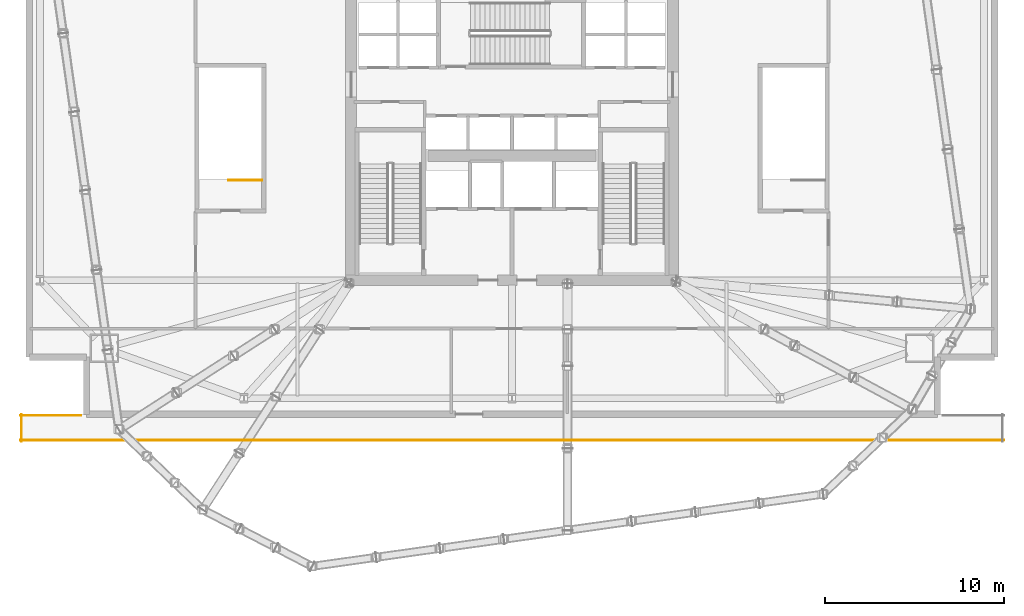
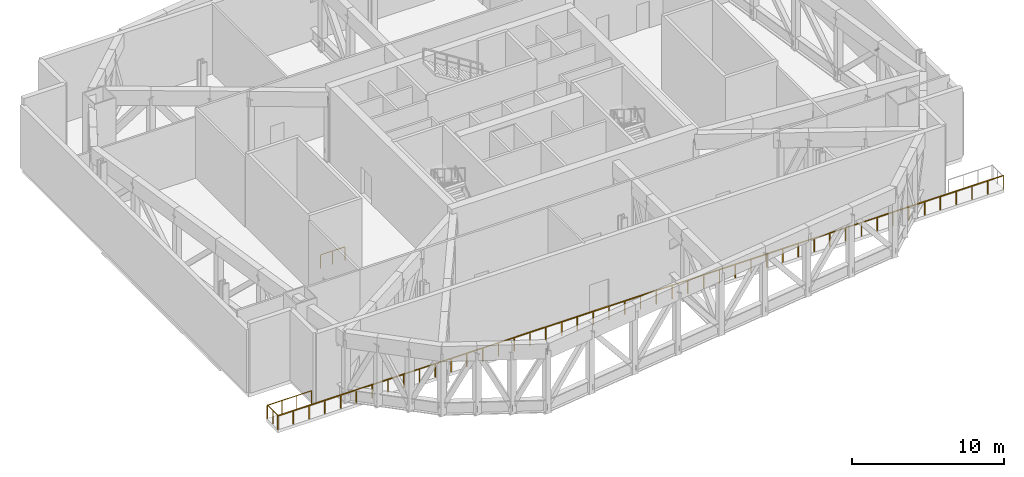
# One storey, part 13 of 15: 4 railings.
"""IFC4 building model written with IfcOpenShell, lengths in metres."""

from ifc_helpers import new_model, si_unit, direction, frame, origin, origin_2d, place, context, subcontext, project, spatial, rectangle, extrude, material, type_object, element, save


model = new_model("IFC4")

# Units and contexts
model_context = context("Model", 3, precision=1e-05, world=origin(), true_north=direction((0.0, 1.0)))
body_context = subcontext(model_context, "Body", "Model", "MODEL_VIEW")
ifc_project = project(units=[si_unit("LENGTHUNIT", "METRE"), si_unit("AREAUNIT", "SQUARE_METRE"), si_unit("VOLUMEUNIT", "CUBIC_METRE"), si_unit("PLANEANGLEUNIT", "RADIAN"), si_unit("MASSUNIT", "GRAM", prefix="KILO")], contexts=[model_context])

# Site, building, storey
site_placement = place(None, origin())
site = spatial("IfcSite", under=ifc_project, at=site_placement, CompositionType="ELEMENT")
building_placement = place(site_placement, origin())
building = spatial("IfcBuilding", under=site, at=building_placement, Name="Haldenkirk Collegiate Tower", CompositionType="ELEMENT")
storey_placement = place(building_placement, frame((0.0, 0.0, 22.199951171875)))
storey = spatial("IfcBuildingStorey", under=building, at=storey_placement, Name="L04", CompositionType="ELEMENT", Elevation=22.199951171875)

# Railings
ifc_material_1 = material(Name="Painted architectural tubular steel", Category="steel")
railing_type_1 = type_object("IfcRailingType", Name="RLG-STAIR-GUARD-1100", PredefinedType="BALUSTRADE", material=ifc_material_1)
railing_1_placement = place(storey_placement, frame((22.0, 23.60009765625, 0.0)))
element("IfcRailing", 1, at=railing_1_placement, inside=storey, type_object=railing_type_1, Name="L04 ST-4 top well guard 1", PredefinedType="BALUSTRADE", context=body_context, shape_type="SweptSolid", body=[
    extrude(rectangle(XDim=0.048095703125, YDim=0.048095703125, at=origin_2d()), frame((0.0, 0.0, 1.076171875), z_axis=(-1.0, 0.0, 0.0), x_axis=(0.0, -1.0, 0.0)), (0.0, 0.0, 1.0), 1.85009765625),
    extrude(rectangle(XDim=0.0419921875, YDim=0.0419921875, at=origin_2d()), origin(), (0.0, 0.0, 1.0), 1.052001953125),
    extrude(rectangle(XDim=0.0419921875, YDim=0.0419921875, at=origin_2d()), frame((-0.925048828125, 0.0, 0.0)), (0.0, 0.0, 1.0), 1.052001953125),
    extrude(rectangle(XDim=0.0419921875, YDim=0.0419921875, at=origin_2d()), frame((-1.85009765625, 0.0, 0.0)), (0.0, 0.0, 1.0), 1.052001953125),
])
ifc_material_2 = material(Name="Anodised architectural bronze aluminium", Category="aluminium")
railing_type_2 = type_object("IfcRailingType", Name="RLG-TERR-BALUSTRADE-1100", PredefinedType="BALUSTRADE", material=ifc_material_2)
railing_2_placement = place(storey_placement, frame((8.5, 9.06005859375, 0.0)))
element("IfcRailing", 2, at=railing_2_placement, inside=storey, type_object=railing_type_2, Name="L04 terrace guard balustrade 1-1", PredefinedType="BALUSTRADE", context=body_context, shape_type="SweptSolid", body=[
    extrude(rectangle(XDim=0.048095703125, YDim=0.048095703125, at=origin_2d()), frame((0.0, 0.0, 1.076171875), z_axis=(1.0, 0.0, 0.0), x_axis=(0.0, 1.0, 0.0)), (0.0, 0.0, 1.0), 55.0),
    extrude(rectangle(XDim=0.0419921875, YDim=0.0419921875, at=origin_2d()), origin(), (0.0, 0.0, 1.0), 1.052001953125),
    extrude(rectangle(XDim=0.0419921875, YDim=0.0419921875, at=origin_2d()), frame((1.195556640625, 0.0, 0.0)), (0.0, 0.0, 1.0), 1.052001953125),
    extrude(rectangle(XDim=0.0419921875, YDim=0.0419921875, at=origin_2d()), frame((2.391357421875, 0.0, 0.0)), (0.0, 0.0, 1.0), 1.052001953125),
    extrude(rectangle(XDim=0.0419921875, YDim=0.0419921875, at=origin_2d()), frame((3.5869140625, 0.0, 0.0)), (0.0, 0.0, 1.0), 1.052001953125),
    extrude(rectangle(XDim=0.0419921875, YDim=0.0419921875, at=origin_2d()), frame((4.78271484375, 0.0, 0.0)), (0.0, 0.0, 1.0), 1.052001953125),
    extrude(rectangle(XDim=0.0419921875, YDim=0.0419921875, at=origin_2d()), frame((5.978271484375, 0.0, 0.0)), (0.0, 0.0, 1.0), 1.052001953125),
    extrude(rectangle(XDim=0.0419921875, YDim=0.0419921875, at=origin_2d()), frame((7.173828125, 0.0, 0.0)), (0.0, 0.0, 1.0), 1.052001953125),
    extrude(rectangle(XDim=0.0419921875, YDim=0.0419921875, at=origin_2d()), frame((8.36962890625, 0.0, 0.0)), (0.0, 0.0, 1.0), 1.052001953125),
    extrude(rectangle(XDim=0.0419921875, YDim=0.0419921875, at=origin_2d()), frame((9.565185546875, 0.0, 0.0)), (0.0, 0.0, 1.0), 1.052001953125),
    extrude(rectangle(XDim=0.0419921875, YDim=0.0419921875, at=origin_2d()), frame((10.760986328125, 0.0, 0.0)), (0.0, 0.0, 1.0), 1.052001953125),
    extrude(rectangle(XDim=0.0419921875, YDim=0.0419921875, at=origin_2d()), frame((11.95654296875, 0.0, 0.0)), (0.0, 0.0, 1.0), 1.052001953125),
    extrude(rectangle(XDim=0.0419921875, YDim=0.0419921875, at=origin_2d()), frame((13.152099609375, 0.0, 0.0)), (0.0, 0.0, 1.0), 1.052001953125),
    extrude(rectangle(XDim=0.0419921875, YDim=0.0419921875, at=origin_2d()), frame((14.347900390625, 0.0, 0.0)), (0.0, 0.0, 1.0), 1.052001953125),
    extrude(rectangle(XDim=0.0419921875, YDim=0.0419921875, at=origin_2d()), frame((15.54345703125, 0.0, 0.0)), (0.0, 0.0, 1.0), 1.052001953125),
    extrude(rectangle(XDim=0.0419921875, YDim=0.0419921875, at=origin_2d()), frame((16.739013671875, 0.0, 0.0)), (0.0, 0.0, 1.0), 1.052001953125),
    extrude(rectangle(XDim=0.0419921875, YDim=0.0419921875, at=origin_2d()), frame((17.934814453125, 0.0, 0.0)), (0.0, 0.0, 1.0), 1.052001953125),
    extrude(rectangle(XDim=0.0419921875, YDim=0.0419921875, at=origin_2d()), frame((19.13037109375, 0.0, 0.0)), (0.0, 0.0, 1.0), 1.052001953125),
    extrude(rectangle(XDim=0.0419921875, YDim=0.0419921875, at=origin_2d()), frame((20.326171875, 0.0, 0.0)), (0.0, 0.0, 1.0), 1.052001953125),
    extrude(rectangle(XDim=0.0419921875, YDim=0.0419921875, at=origin_2d()), frame((21.521728515625, 0.0, 0.0)), (0.0, 0.0, 1.0), 1.052001953125),
    extrude(rectangle(XDim=0.0419921875, YDim=0.0419921875, at=origin_2d()), frame((22.71728515625, 0.0, 0.0)), (0.0, 0.0, 1.0), 1.052001953125),
    extrude(rectangle(XDim=0.0419921875, YDim=0.0419921875, at=origin_2d()), frame((23.9130859375, 0.0, 0.0)), (0.0, 0.0, 1.0), 1.052001953125),
    extrude(rectangle(XDim=0.0419921875, YDim=0.0419921875, at=origin_2d()), frame((25.108642578125, 0.0, 0.0)), (0.0, 0.0, 1.0), 1.052001953125),
    extrude(rectangle(XDim=0.0419921875, YDim=0.0419921875, at=origin_2d()), frame((26.304443359375, 0.0, 0.0)), (0.0, 0.0, 1.0), 1.052001953125),
    extrude(rectangle(XDim=0.0419921875, YDim=0.0419921875, at=origin_2d()), frame((27.5, 0.0, 0.0)), (0.0, 0.0, 1.0), 1.052001953125),
    extrude(rectangle(XDim=0.0419921875, YDim=0.0419921875, at=origin_2d()), frame((28.695556640625, 0.0, 0.0)), (0.0, 0.0, 1.0), 1.052001953125),
    extrude(rectangle(XDim=0.0419921875, YDim=0.0419921875, at=origin_2d()), frame((29.891357421875, 0.0, 0.0)), (0.0, 0.0, 1.0), 1.052001953125),
    extrude(rectangle(XDim=0.0419921875, YDim=0.0419921875, at=origin_2d()), frame((31.0869140625, 0.0, 0.0)), (0.0, 0.0, 1.0), 1.052001953125),
    extrude(rectangle(XDim=0.0419921875, YDim=0.0419921875, at=origin_2d()), frame((32.28271484375, 0.0, 0.0)), (0.0, 0.0, 1.0), 1.052001953125),
    extrude(rectangle(XDim=0.0419921875, YDim=0.0419921875, at=origin_2d()), frame((33.478271484375, 0.0, 0.0)), (0.0, 0.0, 1.0), 1.052001953125),
    extrude(rectangle(XDim=0.0419921875, YDim=0.0419921875, at=origin_2d()), frame((34.673828125, 0.0, 0.0)), (0.0, 0.0, 1.0), 1.052001953125),
    extrude(rectangle(XDim=0.0419921875, YDim=0.0419921875, at=origin_2d()), frame((35.86962890625, 0.0, 0.0)), (0.0, 0.0, 1.0), 1.052001953125),
    extrude(rectangle(XDim=0.0419921875, YDim=0.0419921875, at=origin_2d()), frame((37.065185546875, 0.0, 0.0)), (0.0, 0.0, 1.0), 1.052001953125),
    extrude(rectangle(XDim=0.0419921875, YDim=0.0419921875, at=origin_2d()), frame((38.260986328125, 0.0, 0.0)), (0.0, 0.0, 1.0), 1.052001953125),
    extrude(rectangle(XDim=0.0419921875, YDim=0.0419921875, at=origin_2d()), frame((39.45654296875, 0.0, 0.0)), (0.0, 0.0, 1.0), 1.052001953125),
    extrude(rectangle(XDim=0.0419921875, YDim=0.0419921875, at=origin_2d()), frame((40.652099609375, 0.0, 0.0)), (0.0, 0.0, 1.0), 1.052001953125),
    extrude(rectangle(XDim=0.0419921875, YDim=0.0419921875, at=origin_2d()), frame((41.847900390625, 0.0, 0.0)), (0.0, 0.0, 1.0), 1.052001953125),
    extrude(rectangle(XDim=0.0419921875, YDim=0.0419921875, at=origin_2d()), frame((43.04345703125, 0.0, 0.0)), (0.0, 0.0, 1.0), 1.052001953125),
    extrude(rectangle(XDim=0.0419921875, YDim=0.0419921875, at=origin_2d()), frame((44.239013671875, 0.0, 0.0)), (0.0, 0.0, 1.0), 1.052001953125),
    extrude(rectangle(XDim=0.0419921875, YDim=0.0419921875, at=origin_2d()), frame((45.434814453125, 0.0, 0.0)), (0.0, 0.0, 1.0), 1.052001953125),
    extrude(rectangle(XDim=0.0419921875, YDim=0.0419921875, at=origin_2d()), frame((46.63037109375, 0.0, 0.0)), (0.0, 0.0, 1.0), 1.052001953125),
    extrude(rectangle(XDim=0.0419921875, YDim=0.0419921875, at=origin_2d()), frame((47.826171875, 0.0, 0.0)), (0.0, 0.0, 1.0), 1.052001953125),
    extrude(rectangle(XDim=0.0419921875, YDim=0.0419921875, at=origin_2d()), frame((49.021728515625, 0.0, 0.0)), (0.0, 0.0, 1.0), 1.052001953125),
    extrude(rectangle(XDim=0.0419921875, YDim=0.0419921875, at=origin_2d()), frame((50.21728515625, 0.0, 0.0)), (0.0, 0.0, 1.0), 1.052001953125),
    extrude(rectangle(XDim=0.0419921875, YDim=0.0419921875, at=origin_2d()), frame((51.4130859375, 0.0, 0.0)), (0.0, 0.0, 1.0), 1.052001953125),
    extrude(rectangle(XDim=0.0419921875, YDim=0.0419921875, at=origin_2d()), frame((52.608642578125, 0.0, 0.0)), (0.0, 0.0, 1.0), 1.052001953125),
    extrude(rectangle(XDim=0.0419921875, YDim=0.0419921875, at=origin_2d()), frame((53.804443359375, 0.0, 0.0)), (0.0, 0.0, 1.0), 1.052001953125),
    extrude(rectangle(XDim=0.0419921875, YDim=0.0419921875, at=origin_2d()), frame((55.0, 0.0, 0.0)), (0.0, 0.0, 1.0), 1.052001953125),
])
railing_3_placement = place(storey_placement, frame((11.8798828125, 10.43994140625, 0.0)))
element("IfcRailing", 3, at=railing_3_placement, inside=storey, type_object=railing_type_2, Name="L04 terrace guard balustrade 3-2", PredefinedType="BALUSTRADE", context=body_context, shape_type="SweptSolid", body=[
    extrude(rectangle(XDim=0.048095703125, YDim=0.048095703125, at=origin_2d()), frame((0.0, 0.0, 1.076171875), z_axis=(-1.0, 0.0, 0.0), x_axis=(0.0, -1.0, 0.0)), (0.0, 0.0, 1.0), 3.3798828125),
    extrude(rectangle(XDim=0.0419921875, YDim=0.0419921875, at=origin_2d()), origin(), (0.0, 0.0, 1.0), 1.052001953125),
    extrude(rectangle(XDim=0.0419921875, YDim=0.0419921875, at=origin_2d()), frame((-1.126708984375, 0.0, 0.0)), (0.0, 0.0, 1.0), 1.052001953125),
    extrude(rectangle(XDim=0.0419921875, YDim=0.0419921875, at=origin_2d()), frame((-2.253173828125, 0.0, 0.0)), (0.0, 0.0, 1.0), 1.052001953125),
    extrude(rectangle(XDim=0.0419921875, YDim=0.0419921875, at=origin_2d()), frame((-3.3798828125, 0.0, 0.0)), (0.0, 0.0, 1.0), 1.052001953125),
])
railing_4_placement = place(storey_placement, frame((8.56005859375, 10.5, 0.0)))
element("IfcRailing", 4, at=railing_4_placement, inside=storey, type_object=railing_type_2, Name="L04 terrace guard balustrade 4-1", PredefinedType="BALUSTRADE", context=body_context, shape_type="SweptSolid", body=[
    extrude(rectangle(XDim=0.048095703125, YDim=0.048095703125, at=origin_2d()), frame((0.0, 0.0, 1.076171875), z_axis=(0.0, -1.0, 0.0), x_axis=(1.0, 0.0, 0.0)), (0.0, 0.0, 1.0), 1.5),
    extrude(rectangle(XDim=0.0419921875, YDim=0.0419921875, at=origin_2d()), origin(), (0.0, 0.0, 1.0), 1.052001953125),
    extrude(rectangle(XDim=0.0419921875, YDim=0.0419921875, at=origin_2d()), frame((0.0, -0.75, 0.0)), (0.0, 0.0, 1.0), 1.052001953125),
    extrude(rectangle(XDim=0.0419921875, YDim=0.0419921875, at=origin_2d()), frame((0.0, -1.5, 0.0)), (0.0, 0.0, 1.0), 1.052001953125),
])

save(model, "model.ifc")
